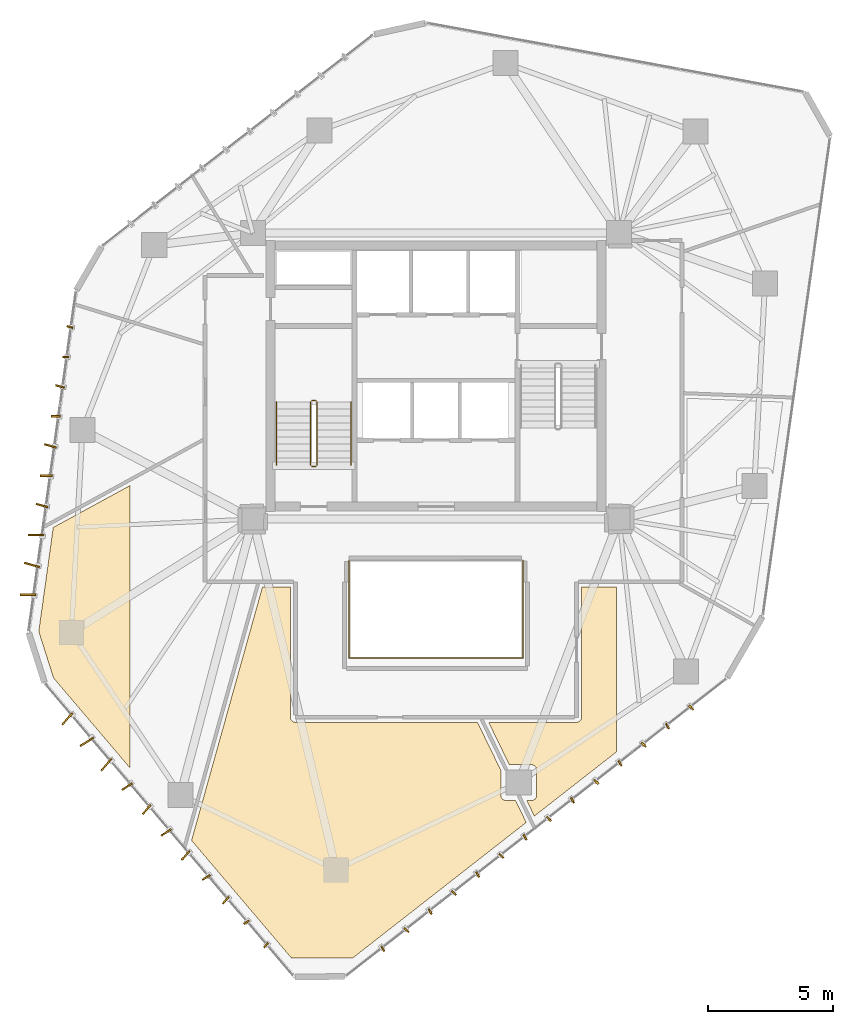
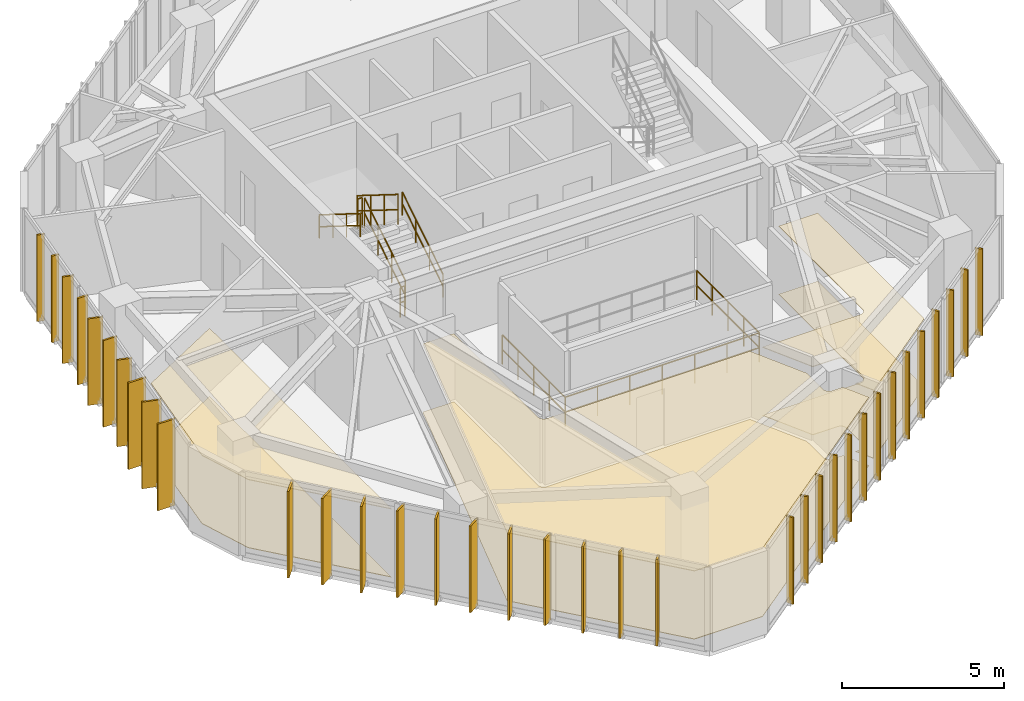
# One storey, part 20 of 21: 35 shading devices, 9 railings, 6 coverings.
"""IFC4 building model written with IfcOpenShell, lengths in metres."""

from ifc_helpers import new_model, si_unit, direction, frame, origin, origin_2d, place, context, subcontext, project, spatial, polyline, rectangle, circle, outline, extrude, source, transform, mapped, material, layer, layer_set, type_object, type_shapes, element, save


model = new_model("IFC4")

# Units and contexts
model_context = context("Model", 3, precision=1e-05, world=origin(), true_north=direction((0.0, 1.0)))
body_context = subcontext(model_context, "Body", "Model", "MODEL_VIEW")
ifc_project = project(units=[si_unit("LENGTHUNIT", "METRE"), si_unit("AREAUNIT", "SQUARE_METRE"), si_unit("VOLUMEUNIT", "CUBIC_METRE"), si_unit("PLANEANGLEUNIT", "RADIAN"), si_unit("MASSUNIT", "GRAM", prefix="KILO")], contexts=[model_context])

# Site, building, storey
site_placement = place(None, origin())
site = spatial("IfcSite", under=ifc_project, at=site_placement, CompositionType="ELEMENT")
building_placement = place(site_placement, origin())
building = spatial("IfcBuilding", under=site, at=building_placement, Name="Talar Marvaseh", CompositionType="ELEMENT")
storey_placement = place(building_placement, frame((0.0, 0.0, 232.699951171875)))
storey = spatial("IfcBuildingStorey", under=building, at=storey_placement, Name="L61", CompositionType="ELEMENT", Elevation=232.699951171875)

# Railings
ifc_material_1 = material(Name="Stainless Steel Grade 316", Category="steel")
railing_type_1 = type_object("IfcRailingType", Name="Brushed Stainless Wall Pitch Handrail 900", PredefinedType="HANDRAIL", material=ifc_material_1)
railing_1_placement = place(storey_placement, frame((22.610107421875, 27.64990234375, 0.175048828125)))
element("IfcRailing", 1, at=railing_1_placement, inside=storey, type_object=railing_type_1, Name="L61 ST-1 stair handrail 1", PredefinedType="HANDRAIL", context=body_context, shape_type="SweptSolid", body=[
    extrude(circle(Radius=0.02392578125, at=origin_2d()), frame((0.0, 0.0, 0.8759765625), z_axis=(0.0, 0.848007534815, 0.529984170421), x_axis=(-1.0, 0.0, 0.0)), (0.0, 0.0, 1.0), 2.9716796875),
    extrude(circle(Radius=0.02392578125, at=origin_2d()), frame((0.0, 0.0, 0.42578125), z_axis=(0.0, 0.848007534815, 0.529984170421), x_axis=(-1.0, 0.0, 0.0)), (0.0, 0.0, 1.0), 2.9716796875),
    extrude(circle(Radius=0.02099609375, at=origin_2d()), origin(), (0.0, 0.0, 1.0), 0.851806640625),
    extrude(circle(Radius=0.02099609375, at=origin_2d()), frame((0.0, 0.840087890625, 0.52490234375)), (0.0, 0.0, 1.0), 0.851806640625),
    extrude(circle(Radius=0.02099609375, at=origin_2d()), frame((0.0, 1.679931640625, 1.050048828125)), (0.0, 0.0, 1.0), 0.851806640625),
    extrude(circle(Radius=0.02099609375, at=origin_2d()), frame((0.0, 2.52001953125, 1.574951171875)), (0.0, 0.0, 1.0), 0.851806640625),
])
railing_2_placement = place(storey_placement, frame((19.64990234375, 30.169921875, 1.925048828125)))
element("IfcRailing", 2, at=railing_2_placement, inside=storey, type_object=railing_type_1, Name="L61 ST-1 stair handrail 2", PredefinedType="HANDRAIL", context=body_context, shape_type="SweptSolid", body=[
    extrude(circle(Radius=0.02392578125, at=origin_2d()), frame((0.0, 0.0, 0.8759765625), z_axis=(0.0, -0.848007534815, 0.529984170421), x_axis=(1.0, 0.0, 0.0)), (0.0, 0.0, 1.0), 2.9716796875),
    extrude(circle(Radius=0.02392578125, at=origin_2d()), frame((0.0, 0.0, 0.42578125), z_axis=(0.0, -0.848007534815, 0.529984170421), x_axis=(1.0, 0.0, 0.0)), (0.0, 0.0, 1.0), 2.9716796875),
    extrude(circle(Radius=0.02099609375, at=origin_2d()), origin(), (0.0, 0.0, 1.0), 0.851806640625),
    extrude(circle(Radius=0.02099609375, at=origin_2d()), frame((0.0, -0.840087890625, 0.52490234375)), (0.0, 0.0, 1.0), 0.851806640625),
    extrude(circle(Radius=0.02099609375, at=origin_2d()), frame((0.0, -1.679931640625, 1.050048828125)), (0.0, 0.0, 1.0), 0.851806640625),
    extrude(circle(Radius=0.02099609375, at=origin_2d()), frame((0.0, -2.52001953125, 1.574951171875)), (0.0, 0.0, 1.0), 0.851806640625),
])
ifc_material_2 = material(Name="Tempered Clear Glass", Category="glass")
railing_type_2 = type_object("IfcRailingType", Name="Interior Atrium Edge Balustrade 1120", PredefinedType="BALUSTRADE", material=ifc_material_2)
railing_3_placement = place(storey_placement, frame((22.5302734375, 19.9609375, 0.0)))
element("IfcRailing", 3, at=railing_3_placement, inside=storey, type_object=railing_type_2, Name="L61 Internal Daylight Atrium Balustrade 1", PredefinedType="BALUSTRADE", context=body_context, shape_type="SweptSolid", body=[
    extrude(circle(Radius=0.02392578125, at=origin_2d()), frame((0.0, 0.0, 1.09619140625), z_axis=(1.0, 0.0, 0.0), x_axis=(0.0, 1.0, 0.0)), (0.0, 0.0, 1.0), 6.939453125),
    extrude(circle(Radius=0.02392578125, at=origin_2d()), frame((0.0, 0.0, 0.5361328125), z_axis=(1.0, 0.0, 0.0), x_axis=(0.0, 1.0, 0.0)), (0.0, 0.0, 1.0), 6.939453125),
    extrude(circle(Radius=0.02099609375, at=origin_2d()), origin(), (0.0, 0.0, 1.0), 1.072021484375),
    extrude(circle(Radius=0.02099609375, at=origin_2d()), frame((1.156494140625, 0.0, 0.0)), (0.0, 0.0, 1.0), 1.072021484375),
    extrude(circle(Radius=0.02099609375, at=origin_2d()), frame((2.313232421875, 0.0, 0.0)), (0.0, 0.0, 1.0), 1.072021484375),
    extrude(circle(Radius=0.02099609375, at=origin_2d()), frame((3.4697265625, 0.0, 0.0)), (0.0, 0.0, 1.0), 1.072021484375),
    extrude(circle(Radius=0.02099609375, at=origin_2d()), frame((4.626220703125, 0.0, 0.0)), (0.0, 0.0, 1.0), 1.072021484375),
    extrude(circle(Radius=0.02099609375, at=origin_2d()), frame((5.782958984375, 0.0, 0.0)), (0.0, 0.0, 1.0), 1.072021484375),
    extrude(circle(Radius=0.02099609375, at=origin_2d()), frame((6.939453125, 0.0, 0.0)), (0.0, 0.0, 1.0), 1.072021484375),
])
railing_4_placement = place(storey_placement, frame((29.4697265625, 19.9609375, 0.0)))
element("IfcRailing", 4, at=railing_4_placement, inside=storey, type_object=railing_type_2, Name="L61 Internal Daylight Atrium Balustrade 2", PredefinedType="BALUSTRADE", context=body_context, shape_type="SweptSolid", body=[
    extrude(circle(Radius=0.02392578125, at=origin_2d()), frame((0.0, 0.0, 1.09619140625), z_axis=(0.0, 1.0, 0.0), x_axis=(-1.0, 0.0, 0.0)), (0.0, 0.0, 1.0), 3.878173828125),
    extrude(circle(Radius=0.02392578125, at=origin_2d()), frame((0.0, 0.0, 0.5361328125), z_axis=(0.0, 1.0, 0.0), x_axis=(-1.0, 0.0, 0.0)), (0.0, 0.0, 1.0), 3.878173828125),
    extrude(circle(Radius=0.02099609375, at=origin_2d()), origin(), (0.0, 0.0, 1.0), 1.072021484375),
    extrude(circle(Radius=0.02099609375, at=origin_2d()), frame((0.0, 0.969482421875, 0.0)), (0.0, 0.0, 1.0), 1.072021484375),
    extrude(circle(Radius=0.02099609375, at=origin_2d()), frame((0.0, 1.93896484375, 0.0)), (0.0, 0.0, 1.0), 1.072021484375),
    extrude(circle(Radius=0.02099609375, at=origin_2d()), frame((0.0, 2.90869140625, 0.0)), (0.0, 0.0, 1.0), 1.072021484375),
    extrude(circle(Radius=0.02099609375, at=origin_2d()), frame((0.0, 3.878173828125, 0.0)), (0.0, 0.0, 1.0), 1.072021484375),
])
railing_5_placement = place(storey_placement, frame((22.5302734375, 23.839111328125, 0.0)))
element("IfcRailing", 5, at=railing_5_placement, inside=storey, type_object=railing_type_2, Name="L61 Internal Daylight Atrium Balustrade 4", PredefinedType="BALUSTRADE", context=body_context, shape_type="SweptSolid", body=[
    extrude(circle(Radius=0.02392578125, at=origin_2d()), frame((0.0, 0.0, 1.09619140625), z_axis=(0.0, -1.0, 0.0), x_axis=(1.0, 0.0, 0.0)), (0.0, 0.0, 1.0), 3.878173828125),
    extrude(circle(Radius=0.02392578125, at=origin_2d()), frame((0.0, 0.0, 0.5361328125), z_axis=(0.0, -1.0, 0.0), x_axis=(1.0, 0.0, 0.0)), (0.0, 0.0, 1.0), 3.878173828125),
    extrude(circle(Radius=0.02099609375, at=origin_2d()), origin(), (0.0, 0.0, 1.0), 1.072021484375),
    extrude(circle(Radius=0.02099609375, at=origin_2d()), frame((0.0, -0.969482421875, 0.0)), (0.0, 0.0, 1.0), 1.072021484375),
    extrude(circle(Radius=0.02099609375, at=origin_2d()), frame((0.0, -1.93896484375, 0.0)), (0.0, 0.0, 1.0), 1.072021484375),
    extrude(circle(Radius=0.02099609375, at=origin_2d()), frame((0.0, -2.90869140625, 0.0)), (0.0, 0.0, 1.0), 1.072021484375),
    extrude(circle(Radius=0.02099609375, at=origin_2d()), frame((0.0, -3.878173828125, 0.0)), (0.0, 0.0, 1.0), 1.072021484375),
])
railing_type_3 = type_object("IfcRailingType", Name="Painted Steel Core Stair Well Guardrail 1150", PredefinedType="GUARDRAIL", material=ifc_material_1)
railing_6_placement = place(storey_placement, frame((21.260009765625, 27.64990234375, 0.175048828125)))
element("IfcRailing", 6, at=railing_6_placement, inside=storey, type_object=railing_type_3, Name="L61 ST-1 stair guard 1", PredefinedType="GUARDRAIL", context=body_context, shape_type="SweptSolid", body=[
    extrude(circle(Radius=0.02392578125, at=origin_2d()), frame((0.0, 0.0, 1.1259765625), z_axis=(0.0, 0.848007534815, 0.529984170421), x_axis=(-1.0, 0.0, 0.0)), (0.0, 0.0, 1.0), 2.9716796875),
    extrude(circle(Radius=0.02392578125, at=origin_2d()), frame((0.0, 0.0, 0.55078125), z_axis=(0.0, 0.848007534815, 0.529984170421), x_axis=(-1.0, 0.0, 0.0)), (0.0, 0.0, 1.0), 2.9716796875),
    extrude(circle(Radius=0.02099609375, at=origin_2d()), origin(), (0.0, 0.0, 1.0), 1.101806640625),
    extrude(circle(Radius=0.02099609375, at=origin_2d()), frame((0.0, 0.840087890625, 0.52490234375)), (0.0, 0.0, 1.0), 1.101806640625),
    extrude(circle(Radius=0.02099609375, at=origin_2d()), frame((0.0, 1.679931640625, 1.050048828125)), (0.0, 0.0, 1.0), 1.101806640625),
    extrude(circle(Radius=0.02099609375, at=origin_2d()), frame((0.0, 2.52001953125, 1.574951171875)), (0.0, 0.0, 1.0), 1.101806640625),
])
railing_7_placement = place(storey_placement, frame((21.2099609375, 30.219970703125, 1.75)))
element("IfcRailing", 7, at=railing_7_placement, inside=storey, type_object=railing_type_3, Name="L61 ST-1 stair guard 2", PredefinedType="GUARDRAIL", context=body_context, shape_type="SweptSolid", body=[
    extrude(circle(Radius=0.02392578125, at=origin_2d()), frame((0.0, 0.0, 1.1259765625), z_axis=(-1.0, 0.0, 0.0), x_axis=(0.0, -1.0, 0.0)), (0.0, 0.0, 1.0), 0.159912109375),
    extrude(circle(Radius=0.02392578125, at=origin_2d()), frame((0.0, 0.0, 0.55078125), z_axis=(-1.0, 0.0, 0.0), x_axis=(0.0, -1.0, 0.0)), (0.0, 0.0, 1.0), 0.159912109375),
    extrude(circle(Radius=0.02099609375, at=origin_2d()), origin(), (0.0, 0.0, 1.0), 1.101806640625),
    extrude(circle(Radius=0.02099609375, at=origin_2d()), frame((-0.159912109375, 0.0, 0.0)), (0.0, 0.0, 1.0), 1.101806640625),
])
railing_8_placement = place(storey_placement, frame((21.0, 30.169921875, 1.925048828125)))
element("IfcRailing", 8, at=railing_8_placement, inside=storey, type_object=railing_type_3, Name="L61 ST-1 stair guard 3", PredefinedType="GUARDRAIL", context=body_context, shape_type="SweptSolid", body=[
    extrude(circle(Radius=0.02392578125, at=origin_2d()), frame((0.0, 0.0, 1.1259765625), z_axis=(0.0, -0.848007534815, 0.529984170421), x_axis=(1.0, 0.0, 0.0)), (0.0, 0.0, 1.0), 2.9716796875),
    extrude(circle(Radius=0.02392578125, at=origin_2d()), frame((0.0, 0.0, 0.55078125), z_axis=(0.0, -0.848007534815, 0.529984170421), x_axis=(1.0, 0.0, 0.0)), (0.0, 0.0, 1.0), 2.9716796875),
    extrude(circle(Radius=0.02099609375, at=origin_2d()), origin(), (0.0, 0.0, 1.0), 1.101806640625),
    extrude(circle(Radius=0.02099609375, at=origin_2d()), frame((0.0, -0.840087890625, 0.52490234375)), (0.0, 0.0, 1.0), 1.101806640625),
    extrude(circle(Radius=0.02099609375, at=origin_2d()), frame((0.0, -1.679931640625, 1.050048828125)), (0.0, 0.0, 1.0), 1.101806640625),
    extrude(circle(Radius=0.02099609375, at=origin_2d()), frame((0.0, -2.52001953125, 1.574951171875)), (0.0, 0.0, 1.0), 1.101806640625),
])
railing_9_placement = place(storey_placement, frame((21.2099609375, 27.60009765625, 0.0)))
element("IfcRailing", 9, at=railing_9_placement, inside=storey, type_object=railing_type_3, Name="L61 ST-1 stair guard 4", PredefinedType="GUARDRAIL", context=body_context, shape_type="SweptSolid", body=[
    extrude(circle(Radius=0.02392578125, at=origin_2d()), frame((0.0, 0.0, 1.1259765625), z_axis=(-1.0, 0.0, 0.0), x_axis=(0.0, -1.0, 0.0)), (0.0, 0.0, 1.0), 0.159912109375),
    extrude(circle(Radius=0.02392578125, at=origin_2d()), frame((0.0, 0.0, 0.55078125), z_axis=(-1.0, 0.0, 0.0), x_axis=(0.0, -1.0, 0.0)), (0.0, 0.0, 1.0), 0.159912109375),
    extrude(circle(Radius=0.02099609375, at=origin_2d()), origin(), (0.0, 0.0, 1.0), 1.101806640625),
    extrude(circle(Radius=0.02099609375, at=origin_2d()), frame((-0.159912109375, 0.0, 0.0)), (0.0, 0.0, 1.0), 1.101806640625),
])

# Coverings
ifc_material_3 = material(Name="Mineral Fibre Acoustic Ceiling")
ifc_layer_1 = layer(ifc_material_3, 0.02490234375)
ifc_layer_set_1 = layer_set([ifc_layer_1], Name="Mineral Fibre Acoustic Ceiling")
covering_type_1 = type_object("IfcCoveringType", Name="Perforated Mineral Fibre Acoustic Suspended Ceiling", PredefinedType="CEILING", material=ifc_layer_set_1)
covering_1_placement = place(storey_placement, frame((0.0, 0.0, 2.570068359375)))
element("IfcCovering", 10, at=covering_1_placement, inside=storey, type_object=covering_type_1, Name="L61 Gallery Concierge Reception Acoustic Ceiling", PredefinedType="CEILING", context=body_context, shape_type="SweptSolid", body=[
    extrude(outline(polyline([(13.800048828125, 26.831298828125), (13.800048828125, 15.585205078125), (10.757080078125, 19.16748046875), (10.168701171875, 21.019287109375), (10.746337890625, 25.163818359375), (13.800048828125, 26.831298828125)])), origin(), (0.0, 0.0, 1.0), 0.02490234375),
])
covering_2_placement = place(storey_placement, frame((0.0, 0.0, 2.570068359375)))
element("IfcCovering", 11, at=covering_2_placement, inside=storey, type_object=covering_type_1, Name="L61 Curatorial Staff Control Room Acoustic Ceiling", PredefinedType="CEILING", context=body_context, shape_type="SweptSolid", body=[
    extrude(outline(polyline([(19.086181640625, 22.800048828125), (20.199951171875, 22.800048828125), (20.199951171875, 17.60009765625), (20.200927734375, 17.580322265625), (20.203857421875, 17.56103515625), (20.20849609375, 17.5419921875), (20.215087890625, 17.5234375), (20.2236328125, 17.505615234375), (20.233642578125, 17.489013671875), (20.245361328125, 17.47314453125), (20.258544921875, 17.45849609375), (20.273193359375, 17.4453125), (20.288818359375, 17.43359375), (20.3056640625, 17.423583984375), (20.323486328125, 17.415283203125), (20.341796875, 17.40869140625), (20.361083984375, 17.40380859375), (20.38037109375, 17.40087890625), (20.39990234375, 17.39990234375), (27.65380859375, 17.39990234375), (28.583984375, 15.490966796875), (28.585693359375, 14.486572265625), (28.5869140625, 14.466064453125), (28.590087890625, 14.44580078125), (28.595458984375, 14.42578125), (28.602783203125, 14.406494140625), (28.61181640625, 14.38818359375), (28.623046875, 14.370849609375), (28.6357421875, 14.3544921875), (28.650146484375, 14.33984375), (28.666015625, 14.326904296875), (28.68310546875, 14.315185546875), (28.6962890625, 14.307373046875), (28.71533203125, 14.29736328125), (28.7353515625, 14.289306640625), (28.756103515625, 14.28369140625), (28.777587890625, 14.2802734375), (28.799072265625, 14.279052734375), (29.174560546875, 14.279052734375), (29.597900390625, 13.41015625), (22.675537109375, 8.0), (20.243408203125, 8.0), (16.258544921875, 12.69091796875), (19.086181640625, 22.800048828125)])), origin(), (0.0, 0.0, 1.0), 0.02490234375),
])
covering_3_placement = place(storey_placement, frame((0.0, 0.0, 2.570068359375)))
element("IfcCovering", 12, at=covering_3_placement, inside=storey, type_object=covering_type_1, Name="L61 Visitor Orientation Foyer Acoustic Ceiling", PredefinedType="CEILING", context=body_context, shape_type="SweptSolid", body=[
    extrude(outline(polyline([(29.799072265625, 14.279052734375), (29.820556640625, 14.2802734375), (29.841796875, 14.28369140625), (29.862548828125, 14.289306640625), (29.882568359375, 14.29736328125), (29.901611328125, 14.307373046875), (29.914794921875, 14.315185546875), (29.930419921875, 14.32568359375), (29.945068359375, 14.33740234375), (29.95849609375, 14.3505859375), (29.970703125, 14.36474609375), (29.9814453125, 14.380126953125), (29.990478515625, 14.396484375), (29.998291015625, 14.41357421875), (30.00439453125, 14.431396484375), (30.0087890625, 14.44970703125), (30.01123046875, 14.46826171875), (30.01220703125, 14.48681640625), (30.01220703125, 15.501220703125), (30.01123046875, 15.519775390625), (30.0087890625, 15.538330078125), (30.00439453125, 15.556640625), (29.998291015625, 15.574462890625), (29.990478515625, 15.591552734375), (29.9814453125, 15.60791015625), (29.970703125, 15.623291015625), (29.95849609375, 15.637451171875), (29.945068359375, 15.650634765625), (29.930419921875, 15.662353515625), (29.914794921875, 15.672607421875), (29.901611328125, 15.6806640625), (29.882568359375, 15.690673828125), (29.862548828125, 15.698486328125), (29.841796875, 15.704345703125), (29.820556640625, 15.707763671875), (29.799072265625, 15.708984375), (28.922607421875, 15.708984375), (28.0986328125, 17.39990234375), (31.60009765625, 17.39990234375), (31.61962890625, 17.40087890625), (31.638916015625, 17.40380859375), (31.658203125, 17.40869140625), (31.676513671875, 17.415283203125), (31.6943359375, 17.423583984375), (31.711181640625, 17.43359375), (31.726806640625, 17.4453125), (31.741455078125, 17.45849609375), (31.754638671875, 17.47314453125), (31.766357421875, 17.489013671875), (31.7763671875, 17.505615234375), (31.784912109375, 17.5234375), (31.79150390625, 17.5419921875), (31.796142578125, 17.56103515625), (31.799072265625, 17.580322265625), (31.800048828125, 17.60009765625), (31.800048828125, 22.800048828125), (33.199951171875, 22.800048828125), (33.199951171875, 16.22509765625), (29.920166015625, 13.661865234375), (29.619384765625, 14.279052734375), (29.799072265625, 14.279052734375)])), origin(), (0.0, 0.0, 1.0), 0.02490234375),
])
ifc_material_4 = material(Name="Porcelain Stoneware Tile", Category="masonry")
ifc_layer_2 = layer(ifc_material_4, 0.02001953125)
ifc_layer_set_2 = layer_set([ifc_layer_2], Name="Porcelain Stoneware Tile")
covering_type_2 = type_object("IfcCoveringType", Name="Polished Porcelain Stoneware Gallery Flooring", PredefinedType="FLOORING", material=ifc_layer_set_2)
covering_4_placement = place(storey_placement, origin())
element("IfcCovering", 13, at=covering_4_placement, inside=storey, type_object=covering_type_2, Name="L61 Gallery Concierge Reception Flooring", PredefinedType="FLOORING", context=body_context, shape_type="SweptSolid", body=[
    extrude(outline(polyline([(13.800048828125, 26.831298828125), (13.800048828125, 15.585205078125), (10.757080078125, 19.16748046875), (10.168701171875, 21.019287109375), (10.746337890625, 25.163818359375), (13.800048828125, 26.831298828125)])), origin(), (0.0, 0.0, 1.0), 0.02001953125),
])
covering_5_placement = place(storey_placement, origin())
element("IfcCovering", 14, at=covering_5_placement, inside=storey, type_object=covering_type_2, Name="L61 Curatorial Staff Control Room Flooring", PredefinedType="FLOORING", context=body_context, shape_type="SweptSolid", body=[
    extrude(outline(polyline([(19.086181640625, 22.800048828125), (20.199951171875, 22.800048828125), (20.199951171875, 17.60009765625), (20.200927734375, 17.580322265625), (20.203857421875, 17.56103515625), (20.20849609375, 17.5419921875), (20.215087890625, 17.5234375), (20.2236328125, 17.505615234375), (20.233642578125, 17.489013671875), (20.245361328125, 17.47314453125), (20.258544921875, 17.45849609375), (20.273193359375, 17.4453125), (20.288818359375, 17.43359375), (20.3056640625, 17.423583984375), (20.323486328125, 17.415283203125), (20.341796875, 17.40869140625), (20.361083984375, 17.40380859375), (20.38037109375, 17.40087890625), (20.39990234375, 17.39990234375), (27.65380859375, 17.39990234375), (28.583984375, 15.490966796875), (28.585693359375, 14.486572265625), (28.5869140625, 14.466064453125), (28.590087890625, 14.44580078125), (28.595458984375, 14.42578125), (28.602783203125, 14.406494140625), (28.61181640625, 14.38818359375), (28.623046875, 14.370849609375), (28.6357421875, 14.3544921875), (28.650146484375, 14.33984375), (28.666015625, 14.326904296875), (28.68310546875, 14.315185546875), (28.6962890625, 14.307373046875), (28.71533203125, 14.29736328125), (28.7353515625, 14.289306640625), (28.756103515625, 14.28369140625), (28.777587890625, 14.2802734375), (28.799072265625, 14.279052734375), (29.174560546875, 14.279052734375), (29.597900390625, 13.41015625), (22.675537109375, 8.0), (20.243408203125, 8.0), (16.258544921875, 12.69091796875), (19.086181640625, 22.800048828125)])), origin(), (0.0, 0.0, 1.0), 0.02001953125),
])
covering_6_placement = place(storey_placement, origin())
element("IfcCovering", 15, at=covering_6_placement, inside=storey, type_object=covering_type_2, Name="L61 Visitor Orientation Foyer Flooring", PredefinedType="FLOORING", context=body_context, shape_type="SweptSolid", body=[
    extrude(outline(polyline([(29.799072265625, 14.279052734375), (29.820556640625, 14.2802734375), (29.841796875, 14.28369140625), (29.862548828125, 14.289306640625), (29.882568359375, 14.29736328125), (29.901611328125, 14.307373046875), (29.914794921875, 14.315185546875), (29.930419921875, 14.32568359375), (29.945068359375, 14.33740234375), (29.95849609375, 14.3505859375), (29.970703125, 14.36474609375), (29.9814453125, 14.380126953125), (29.990478515625, 14.396484375), (29.998291015625, 14.41357421875), (30.00439453125, 14.431396484375), (30.0087890625, 14.44970703125), (30.01123046875, 14.46826171875), (30.01220703125, 14.48681640625), (30.01220703125, 15.501220703125), (30.01123046875, 15.519775390625), (30.0087890625, 15.538330078125), (30.00439453125, 15.556640625), (29.998291015625, 15.574462890625), (29.990478515625, 15.591552734375), (29.9814453125, 15.60791015625), (29.970703125, 15.623291015625), (29.95849609375, 15.637451171875), (29.945068359375, 15.650634765625), (29.930419921875, 15.662353515625), (29.914794921875, 15.672607421875), (29.901611328125, 15.6806640625), (29.882568359375, 15.690673828125), (29.862548828125, 15.698486328125), (29.841796875, 15.704345703125), (29.820556640625, 15.707763671875), (29.799072265625, 15.708984375), (28.922607421875, 15.708984375), (28.0986328125, 17.39990234375), (31.60009765625, 17.39990234375), (31.61962890625, 17.40087890625), (31.638916015625, 17.40380859375), (31.658203125, 17.40869140625), (31.676513671875, 17.415283203125), (31.6943359375, 17.423583984375), (31.711181640625, 17.43359375), (31.726806640625, 17.4453125), (31.741455078125, 17.45849609375), (31.754638671875, 17.47314453125), (31.766357421875, 17.489013671875), (31.7763671875, 17.505615234375), (31.784912109375, 17.5234375), (31.79150390625, 17.5419921875), (31.796142578125, 17.56103515625), (31.799072265625, 17.580322265625), (31.800048828125, 17.60009765625), (31.800048828125, 22.800048828125), (33.199951171875, 22.800048828125), (33.199951171875, 16.22509765625), (29.920166015625, 13.661865234375), (29.619384765625, 14.279052734375), (29.799072265625, 14.279052734375)])), origin(), (0.0, 0.0, 1.0), 0.02001953125),
])

# Shading devices
ifc_material_5 = material(Name="Anodised Champagne Bronze Aluminium", Category="aluminium")
ifc_layer_3 = layer(ifc_material_5, 0.06494140625)
ifc_layer_set_3 = layer_set([ifc_layer_3], Name="Anodised Champagne Bronze Aluminium")
shading_device_type_1 = type_object("IfcShadingDeviceType", Name="Sawtooth Champagne Bronze Vertical Fin 240", PredefinedType="USERDEFINED", material=ifc_layer_set_3)
shared_shape_1 = source(origin(), body_context, "Body", "SweptSolid", [
    extrude(rectangle(XDim=0.239990234375, YDim=0.06494140625, at=origin_2d()), origin(), (0.0, 0.0, 1.0), 3.27001953125),
])
type_shapes(shading_device_type_1, [shared_shape_1])
for number, where, z_axis, x_axis, name in (
    (16, (19.223388671875, 8.51318359375, -0.119873046875), (0.0, 0.0, 1.0), (-0.664578536706, -0.747218420912, 0.0), "L61 Sawtooth Vertical Solar Fin"),
    (17, (18.446533203125, 9.427734375, -0.119873046875), (0.0, 0.0, 1.0), (-0.844795201036, -0.535089775931, 0.0), "L61 Sawtooth Vertical Solar Fin"),
    (18, (11.244384765625, 31.96435546875, -0.119873046875), (0.0, 0.0, 1.0), (-0.999999253687, -0.001221730172, 0.0), "L61 Sawtooth Vertical Solar Fin"),
    (19, (11.409912109375, 33.15283203125, -0.119873046875), (0.0, 0.0, 1.0), (-0.961597733011, 0.274462747688, 0.0), "L61 Sawtooth Vertical Solar Fin"),
    (20, (36.171142578125, 17.982421875, -0.119873046875), (0.0, 0.0, 1.0), (0.719461030139, -0.6945328114, 0.0), "L61 Sawtooth Vertical Solar Fin"),
    (21, (35.2255859375, 17.243408203125, -0.119873046875), (0.0, 0.0, 1.0), (0.500151142331, -0.865938124132, 0.0), "L61 Sawtooth Vertical Solar Fin"),
    (22, (34.280029296875, 16.504638671875, -0.119873046875), (0.0, 0.0, 1.0), (0.719461030139, -0.6945328114, 0.0), "L61 Sawtooth Vertical Solar Fin"),
    (23, (33.334716796875, 15.765625, -0.119873046875), (0.0, 0.0, 1.0), (0.500151142331, -0.865938124132, 0.0), "L61 Sawtooth Vertical Solar Fin"),
    (24, (32.38916015625, 15.026611328125, -0.119873046875), (0.0, 0.0, 1.0), (0.719461030139, -0.6945328114, 0.0), "L61 Sawtooth Vertical Solar Fin"),
    (25, (31.443603515625, 14.287841796875, -0.119873046875), (0.0, 0.0, 1.0), (0.500151142331, -0.865938124132, 0.0), "L61 Sawtooth Vertical Solar Fin"),
    (26, (30.498291015625, 13.548828125, -0.119873046875), (0.0, 0.0, 1.0), (0.719461030139, -0.6945328114, 0.0), "L61 Sawtooth Vertical Solar Fin"),
    (27, (29.552734375, 12.809814453125, -0.119873046875), (0.0, 0.0, 1.0), (0.500151142331, -0.865938124132, 0.0), "L61 Sawtooth Vertical Solar Fin"),
    (28, (28.607177734375, 12.071044921875, -0.119873046875), (0.0, 0.0, 1.0), (0.719461030139, -0.6945328114, 0.0), "L61 Sawtooth Vertical Solar Fin"),
    (29, (27.66162109375, 11.33203125, -0.119873046875), (0.0, 0.0, 1.0), (0.500151142331, -0.865938124132, 0.0), "L61 Sawtooth Vertical Solar Fin"),
    (30, (26.71630859375, 10.593017578125, -0.119873046875), (0.0, 0.0, 1.0), (0.719461030139, -0.6945328114, 0.0), "L61 Sawtooth Vertical Solar Fin"),
    (31, (25.770751953125, 9.85400390625, -0.119873046875), (0.0, 0.0, 1.0), (0.500151142331, -0.865938124132, 0.0), "L61 Sawtooth Vertical Solar Fin"),
    (32, (24.8251953125, 9.115234375, -0.119873046875), (0.0, 0.0, 1.0), (0.719461030139, -0.6945328114, 0.0), "L61 Sawtooth Vertical Solar Fin"),
    (33, (23.879638671875, 8.376220703125, -0.119873046875), (0.0, 0.0, 1.0), (0.500151142331, -0.865938124132, 0.0), "L61 Sawtooth Vertical Solar Fin"),
):
    element("IfcShadingDevice", number, at=place(storey_placement, frame(where, z_axis=z_axis, x_axis=x_axis)), inside=storey, type_object=shading_device_type_1, Name=name, ObjectType="FIN", PredefinedType="USERDEFINED", context=body_context, shape_type="MappedRepresentation", body=[
        mapped(shared_shape_1, transform((0.0, 0.0, 0.0), x_axis=(1.0, 0.0, 0.0), y_axis=(0.0, 1.0, 0.0), z_axis=(0.0, 0.0, 1.0), scale=1.0)),
    ])
ifc_layer_4 = layer(ifc_material_5, 0.06494140625)
ifc_layer_set_4 = layer_set([ifc_layer_4], Name="Anodised Champagne Bronze Aluminium")
shading_device_type_2 = type_object("IfcShadingDeviceType", Name="Sawtooth Champagne Bronze Vertical Fin 360", PredefinedType="USERDEFINED", material=ifc_layer_set_4)
shared_shape_2 = source(origin(), body_context, "Body", "SweptSolid", [
    extrude(rectangle(XDim=0.360107421875, YDim=0.06494140625, at=origin_2d()), origin(), (0.0, 0.0, 1.0), 3.27001953125),
])
type_shapes(shading_device_type_2, [shared_shape_2])
for number, where, z_axis, x_axis, name in (
    (34, (17.623779296875, 10.303466796875, -0.119873046875), (0.0, 0.0, 1.0), (-0.664578536706, -0.747218420912, 0.0), "L61 Sawtooth Vertical Solar Fin"),
    (35, (16.84716796875, 11.218017578125, -0.119873046875), (0.0, 0.0, 1.0), (-0.844795201036, -0.535089775931, 0.0), "L61 Sawtooth Vertical Solar Fin"),
    (36, (10.853759765625, 29.595458984375, -0.119873046875), (0.0, 0.0, 1.0), (-0.999999253687, -0.001221730172, 0.0), "L61 Sawtooth Vertical Solar Fin"),
    (37, (11.019287109375, 30.7841796875, -0.119873046875), (0.0, 0.0, 1.0), (-0.961597733011, 0.274462747688, 0.0), "L61 Sawtooth Vertical Solar Fin"),
):
    element("IfcShadingDevice", number, at=place(storey_placement, frame(where, z_axis=z_axis, x_axis=x_axis)), inside=storey, type_object=shading_device_type_2, Name=name, ObjectType="FIN", PredefinedType="USERDEFINED", context=body_context, shape_type="MappedRepresentation", body=[
        mapped(shared_shape_2, transform((0.0, 0.0, 0.0), x_axis=(1.0, 0.0, 0.0), y_axis=(0.0, 1.0, 0.0), z_axis=(0.0, 0.0, 1.0), scale=1.0)),
    ])
ifc_layer_5 = layer(ifc_material_5, 0.06494140625)
ifc_layer_set_5 = layer_set([ifc_layer_5], Name="Anodised Champagne Bronze Aluminium")
shading_device_type_3 = type_object("IfcShadingDeviceType", Name="Sawtooth Champagne Bronze Vertical Fin 480", PredefinedType="USERDEFINED", material=ifc_layer_set_5)
shared_shape_3 = source(origin(), body_context, "Body", "SweptSolid", [
    extrude(rectangle(XDim=0.47998046875, YDim=0.06494140625, at=origin_2d()), origin(), (0.0, 0.0, 1.0), 3.27001953125),
])
type_shapes(shading_device_type_3, [shared_shape_3])
for number, where, z_axis, x_axis, name in (
    (38, (16.0244140625, 12.093994140625, -0.119873046875), (0.0, 0.0, 1.0), (-0.664578536706, -0.747218420912, 0.0), "L61 Sawtooth Vertical Solar Fin"),
    (39, (15.24755859375, 13.00830078125, -0.119873046875), (0.0, 0.0, 1.0), (-0.844795201036, -0.535089775931, 0.0), "L61 Sawtooth Vertical Solar Fin"),
    (40, (14.470703125, 13.923095703125, -0.119873046875), (0.0, 0.0, 1.0), (-0.664578536706, -0.747218420912, 0.0), "L61 Sawtooth Vertical Solar Fin"),
    (41, (13.69384765625, 14.837646484375, -0.119873046875), (0.0, 0.0, 1.0), (-0.844795201036, -0.535089775931, 0.0), "L61 Sawtooth Vertical Solar Fin"),
    (42, (10.297607421875, 26.038330078125, -0.119873046875), (0.0, 0.0, 1.0), (-0.961597733011, 0.274462747688, 0.0), "L61 Sawtooth Vertical Solar Fin"),
    (43, (10.463134765625, 27.226806640625, -0.119873046875), (0.0, 0.0, 1.0), (-0.999999253687, -0.001221730172, 0.0), "L61 Sawtooth Vertical Solar Fin"),
    (44, (10.62890625, 28.415283203125, -0.119873046875), (0.0, 0.0, 1.0), (-0.961597733011, 0.274462747688, 0.0), "L61 Sawtooth Vertical Solar Fin"),
):
    element("IfcShadingDevice", number, at=place(storey_placement, frame(where, z_axis=z_axis, x_axis=x_axis)), inside=storey, type_object=shading_device_type_3, Name=name, ObjectType="FIN", PredefinedType="USERDEFINED", context=body_context, shape_type="MappedRepresentation", body=[
        mapped(shared_shape_3, transform((0.0, 0.0, 0.0), x_axis=(1.0, 0.0, 0.0), y_axis=(0.0, 1.0, 0.0), z_axis=(0.0, 0.0, 1.0), scale=1.0)),
    ])
ifc_layer_6 = layer(ifc_material_5, 0.06494140625)
ifc_layer_set_6 = layer_set([ifc_layer_6], Name="Anodised Champagne Bronze Aluminium")
shading_device_type_4 = type_object("IfcShadingDeviceType", Name="Sawtooth Champagne Bronze Vertical Fin 620", PredefinedType="USERDEFINED", material=ifc_layer_set_6)
shared_shape_4 = source(origin(), body_context, "Body", "SweptSolid", [
    extrude(rectangle(XDim=0.6201171875, YDim=0.06494140625, at=origin_2d()), origin(), (0.0, 0.0, 1.0), 3.27001953125),
])
type_shapes(shading_device_type_4, [shared_shape_4])
for number, where, z_axis, x_axis, name in (
    (45, (12.863525390625, 15.706787109375, -0.119873046875), (0.0, 0.0, 1.0), (-0.664578536706, -0.747218420912, 0.0), "L61 Sawtooth Vertical Solar Fin"),
    (46, (12.086669921875, 16.621337890625, -0.119873046875), (0.0, 0.0, 1.0), (-0.844795201036, -0.535089775931, 0.0), "L61 Sawtooth Vertical Solar Fin"),
    (47, (11.309814453125, 17.535888671875, -0.119873046875), (0.0, 0.0, 1.0), (-0.664578536706, -0.747218420912, 0.0), "L61 Sawtooth Vertical Solar Fin"),
    (48, (9.7314453125, 22.482421875, -0.119873046875), (0.0, 0.0, 1.0), (-0.999999253687, -0.001221730172, 0.0), "L61 Sawtooth Vertical Solar Fin"),
    (49, (9.897216796875, 23.6708984375, -0.119873046875), (0.0, 0.0, 1.0), (-0.961597733011, 0.274462747688, 0.0), "L61 Sawtooth Vertical Solar Fin"),
    (50, (10.062744140625, 24.859375, -0.119873046875), (0.0, 0.0, 1.0), (-0.999999253687, -0.001221730172, 0.0), "L61 Sawtooth Vertical Solar Fin"),
):
    element("IfcShadingDevice", number, at=place(storey_placement, frame(where, z_axis=z_axis, x_axis=x_axis)), inside=storey, type_object=shading_device_type_4, Name=name, ObjectType="FIN", PredefinedType="USERDEFINED", context=body_context, shape_type="MappedRepresentation", body=[
        mapped(shared_shape_4, transform((0.0, 0.0, 0.0), x_axis=(1.0, 0.0, 0.0), y_axis=(0.0, 1.0, 0.0), z_axis=(0.0, 0.0, 1.0), scale=1.0)),
    ])

save(model, "model.ifc")
